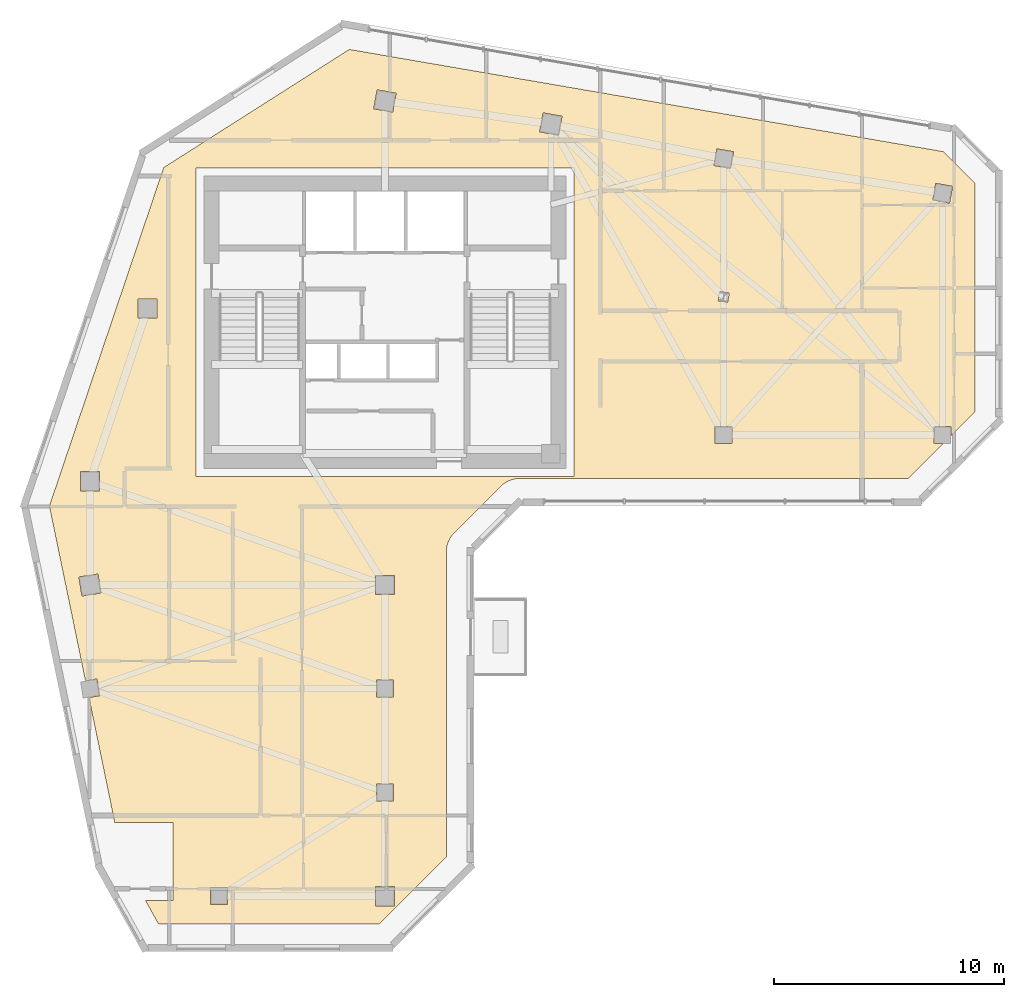
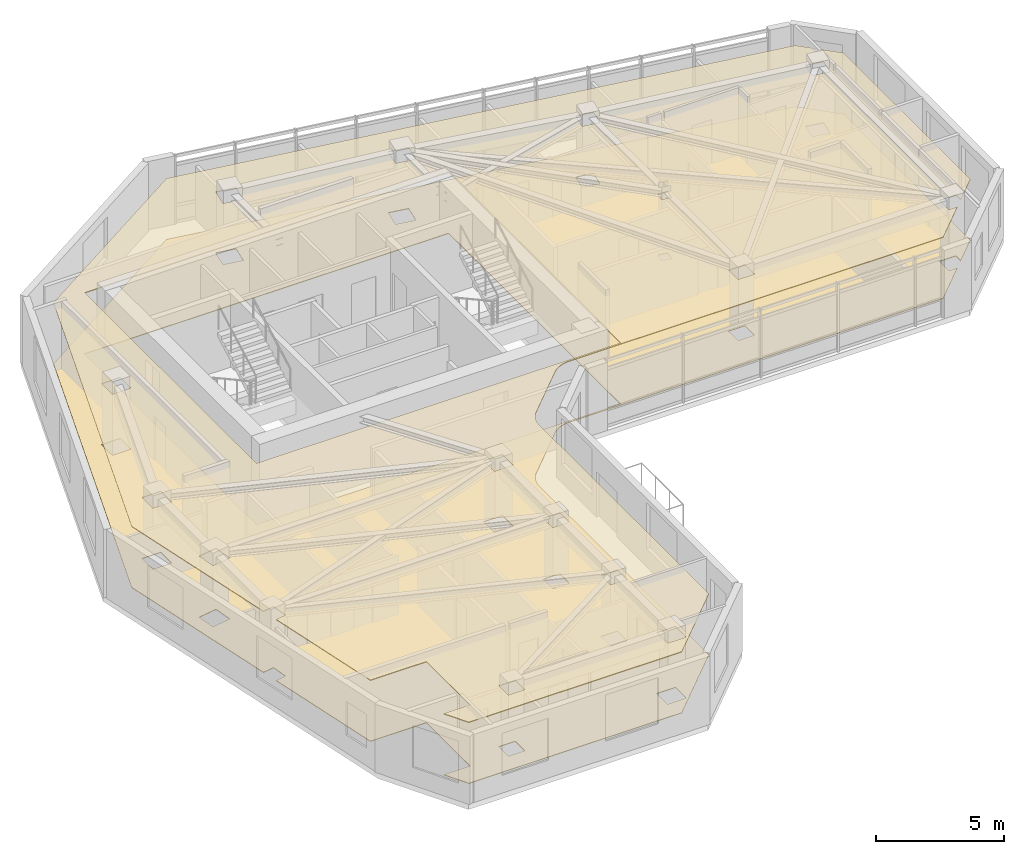
# One storey, part 9 of 10: 2 coverings.
"""IFC4 building model written with IfcOpenShell, lengths in metres."""

from ifc_helpers import new_model, si_unit, direction, frame, origin, place, context, subcontext, project, spatial, polyline, outline, extrude, material, layer, layer_set, type_object, element, save


model = new_model("IFC4")

# Units and contexts
model_context = context("Model", 3, precision=1e-05, world=origin(), true_north=direction((0.0, 1.0)))
body_context = subcontext(model_context, "Body", "Model", "MODEL_VIEW")
ifc_project = project(units=[si_unit("LENGTHUNIT", "METRE"), si_unit("AREAUNIT", "SQUARE_METRE"), si_unit("VOLUMEUNIT", "CUBIC_METRE"), si_unit("PLANEANGLEUNIT", "RADIAN"), si_unit("MASSUNIT", "GRAM", prefix="KILO")], contexts=[model_context])

# Site, building, storey
site_placement = place(None, origin())
site = spatial("IfcSite", under=ifc_project, at=site_placement, CompositionType="ELEMENT")
building_placement = place(site_placement, origin())
building = spatial("IfcBuilding", under=site, at=building_placement, Name="Calvemar Wedge Station Tower", CompositionType="ELEMENT")
storey_placement = place(building_placement, frame((0.0, 0.0, 200.89990234375)))
storey = spatial("IfcBuildingStorey", under=building, at=storey_placement, Name="L50", CompositionType="ELEMENT", Elevation=200.89990234375)

# Coverings
ifc_material_1 = material(Name="Moisture-resistant gypsum ceiling")
ifc_layer_1 = layer(ifc_material_1, 0.0400390625)
ifc_layer_set_1 = layer_set([ifc_layer_1], Name="Moisture-resistant gypsum ceiling")
covering_type_1 = type_object("IfcCoveringType", Name="COV-CEIL-GYPSUM", PredefinedType="CEILING", material=ifc_layer_set_1)
covering_1_placement = place(storey_placement, frame((0.0, 0.0, 2.900146484375)))
element("IfcCovering", 1, at=covering_1_placement, inside=storey, type_object=covering_type_1, Name="Storey L50 Acoustic Suspended Ceiling", PredefinedType="CEILING", context=body_context, shape_type="SweptSolid", body=[
    extrude(outline(polyline([(26.8154296875, 30.7724609375), (28.8154296875, 32.7724609375), (28.902587890625, 32.8515625), (28.997314453125, 32.921875), (29.098388671875, 32.982421875), (29.204833984375, 33.03271484375), (29.315673828125, 33.072265625), (29.429931640625, 33.100830078125), (29.54638671875, 33.1181640625), (29.6640625, 33.1240234375), (46.5029296875, 33.1240234375), (48.0087890625, 34.6298828125), (47.6298828125, 34.6298828125), (47.6298828125, 35.3701171875), (48.3701171875, 35.3701171875), (48.3701171875, 34.9912109375), (49.39990234375, 36.02099609375), (49.39990234375, 45.927001953125), (48.02099609375, 47.305908203125), (22.25341796875, 51.73876953125), (14.201416015625, 46.614990234375), (9.240966796875, 31.92431640625), (10.806884765625, 24.34375), (11.306884765625, 24.423828125), (11.423828125, 23.693115234375), (10.956787109375, 23.618408203125), (12.076171875, 18.199951171875), (14.60009765625, 18.199951171875), (14.60009765625, 14.800048828125), (13.41455078125, 14.800048828125), (13.97021484375, 13.800048828125), (23.56689453125, 13.800048828125), (26.464111328125, 16.697021484375), (26.464111328125, 29.924072265625), (26.4697265625, 30.04150390625), (26.487060546875, 30.158203125), (26.515625, 30.272216796875), (26.555419921875, 30.38330078125), (26.605712890625, 30.48974609375), (26.666259765625, 30.5908203125), (26.736328125, 30.685302734375), (26.8154296875, 30.7724609375)]), holes=[polyline([(15.60009765625, 46.60009765625), (32.0, 46.60009765625), (32.0, 33.199951171875), (15.60009765625, 33.199951171875), (15.60009765625, 46.60009765625)]), polyline([(10.580078125, 32.580078125), (10.580078125, 33.419921875), (11.419921875, 33.419921875), (11.419921875, 32.580078125), (10.580078125, 32.580078125)]), polyline([(13.080078125, 40.919921875), (13.919921875, 40.919921875), (13.919921875, 40.080078125), (13.080078125, 40.080078125), (13.080078125, 40.919921875)]), polyline([(24.28759765625, 49.839111328125), (24.138916015625, 49.01220703125), (23.312255859375, 49.160888671875), (23.4609375, 49.98779296875), (24.28759765625, 49.839111328125)]), polyline([(31.339111328125, 48.01220703125), (30.51220703125, 48.160888671875), (30.660888671875, 48.98779296875), (31.48779296875, 48.839111328125), (31.339111328125, 48.01220703125)]), polyline([(38.0703125, 46.701416015625), (38.201416015625, 47.4296875), (38.9296875, 47.298583984375), (38.798583984375, 46.5703125), (38.0703125, 46.701416015625)]), polyline([(47.701416015625, 45.9296875), (48.4296875, 45.798583984375), (48.298583984375, 45.0703125), (47.5703125, 45.201416015625), (47.701416015625, 45.9296875)]), polyline([(38.8701171875, 35.3701171875), (38.8701171875, 34.6298828125), (38.1298828125, 34.6298828125), (38.1298828125, 35.3701171875), (38.8701171875, 35.3701171875)]), polyline([(38.259765625, 40.833984375), (38.332763671875, 41.239501953125), (38.740234375, 41.166015625), (38.667236328125, 40.760498046875), (38.259765625, 40.833984375)]), polyline([(11.348388671875, 28.981201171875), (11.481201171875, 28.151611328125), (10.651611328125, 28.018798828125), (10.518798828125, 28.848388671875), (11.348388671875, 28.981201171875)]), polyline([(24.219970703125, 28.080078125), (23.3798828125, 28.080078125), (23.3798828125, 28.919921875), (24.219970703125, 28.919921875), (24.219970703125, 28.080078125)]), polyline([(23.429931640625, 23.6298828125), (23.429931640625, 24.3701171875), (24.169921875, 24.3701171875), (24.169921875, 23.6298828125), (23.429931640625, 23.6298828125)]), polyline([(23.429931640625, 19.8701171875), (24.169921875, 19.8701171875), (24.169921875, 19.1298828125), (23.429931640625, 19.1298828125), (23.429931640625, 19.8701171875)]), polyline([(24.219970703125, 15.419921875), (24.219970703125, 14.580078125), (23.3798828125, 14.580078125), (23.3798828125, 15.419921875), (24.219970703125, 15.419921875)]), polyline([(16.969970703125, 14.6298828125), (16.22998046875, 14.6298828125), (16.22998046875, 15.3701171875), (16.969970703125, 15.3701171875), (16.969970703125, 14.6298828125)])]), origin(), (0.0, 0.0, 1.0), 0.0400390625),
])
ifc_material_2 = material(Name="Honed coastal granite stone tile", Category="masonry")
ifc_layer_2 = layer(ifc_material_2, 0.030029296875)
ifc_layer_set_2 = layer_set([ifc_layer_2], Name="Honed coastal granite stone tile")
covering_type_2 = type_object("IfcCoveringType", Name="COV-FLR-STONE", PredefinedType="FLOORING", material=ifc_layer_set_2)
covering_2_placement = place(storey_placement, origin())
element("IfcCovering", 2, at=covering_2_placement, inside=storey, type_object=covering_type_2, Name="Storey L50 Architectural Floor Finish", PredefinedType="FLOORING", context=body_context, shape_type="SweptSolid", body=[
    extrude(outline(polyline([(26.8154296875, 30.7724609375), (28.8154296875, 32.7724609375), (28.902587890625, 32.8515625), (28.997314453125, 32.921875), (29.098388671875, 32.982421875), (29.204833984375, 33.03271484375), (29.315673828125, 33.072265625), (29.429931640625, 33.100830078125), (29.54638671875, 33.1181640625), (29.6640625, 33.1240234375), (46.5029296875, 33.1240234375), (48.0087890625, 34.6298828125), (47.6298828125, 34.6298828125), (47.6298828125, 35.3701171875), (48.3701171875, 35.3701171875), (48.3701171875, 34.9912109375), (49.39990234375, 36.02099609375), (49.39990234375, 45.927001953125), (48.02099609375, 47.305908203125), (22.25341796875, 51.73876953125), (14.201416015625, 46.614990234375), (9.240966796875, 31.92431640625), (10.806884765625, 24.34375), (11.306884765625, 24.423828125), (11.423828125, 23.693115234375), (10.956787109375, 23.618408203125), (12.076171875, 18.199951171875), (14.60009765625, 18.199951171875), (14.60009765625, 14.800048828125), (13.41455078125, 14.800048828125), (13.97021484375, 13.800048828125), (23.56689453125, 13.800048828125), (26.464111328125, 16.697021484375), (26.464111328125, 29.924072265625), (26.4697265625, 30.04150390625), (26.487060546875, 30.158203125), (26.515625, 30.272216796875), (26.555419921875, 30.38330078125), (26.605712890625, 30.48974609375), (26.666259765625, 30.5908203125), (26.736328125, 30.685302734375), (26.8154296875, 30.7724609375)]), holes=[polyline([(15.60009765625, 46.60009765625), (32.0, 46.60009765625), (32.0, 33.199951171875), (15.60009765625, 33.199951171875), (15.60009765625, 46.60009765625)]), polyline([(10.580078125, 32.580078125), (10.580078125, 33.419921875), (11.419921875, 33.419921875), (11.419921875, 32.580078125), (10.580078125, 32.580078125)]), polyline([(13.080078125, 40.919921875), (13.919921875, 40.919921875), (13.919921875, 40.080078125), (13.080078125, 40.080078125), (13.080078125, 40.919921875)]), polyline([(24.28759765625, 49.839111328125), (24.138916015625, 49.01220703125), (23.312255859375, 49.160888671875), (23.4609375, 49.98779296875), (24.28759765625, 49.839111328125)]), polyline([(31.339111328125, 48.01220703125), (30.51220703125, 48.160888671875), (30.660888671875, 48.98779296875), (31.48779296875, 48.839111328125), (31.339111328125, 48.01220703125)]), polyline([(38.0703125, 46.701416015625), (38.201416015625, 47.4296875), (38.9296875, 47.298583984375), (38.798583984375, 46.5703125), (38.0703125, 46.701416015625)]), polyline([(47.701416015625, 45.9296875), (48.4296875, 45.798583984375), (48.298583984375, 45.0703125), (47.5703125, 45.201416015625), (47.701416015625, 45.9296875)]), polyline([(38.8701171875, 35.3701171875), (38.8701171875, 34.6298828125), (38.1298828125, 34.6298828125), (38.1298828125, 35.3701171875), (38.8701171875, 35.3701171875)]), polyline([(38.259765625, 40.833984375), (38.332763671875, 41.239501953125), (38.740234375, 41.166015625), (38.667236328125, 40.760498046875), (38.259765625, 40.833984375)]), polyline([(11.348388671875, 28.981201171875), (11.481201171875, 28.151611328125), (10.651611328125, 28.018798828125), (10.518798828125, 28.848388671875), (11.348388671875, 28.981201171875)]), polyline([(24.219970703125, 28.080078125), (23.3798828125, 28.080078125), (23.3798828125, 28.919921875), (24.219970703125, 28.919921875), (24.219970703125, 28.080078125)]), polyline([(23.429931640625, 23.6298828125), (23.429931640625, 24.3701171875), (24.169921875, 24.3701171875), (24.169921875, 23.6298828125), (23.429931640625, 23.6298828125)]), polyline([(23.429931640625, 19.8701171875), (24.169921875, 19.8701171875), (24.169921875, 19.1298828125), (23.429931640625, 19.1298828125), (23.429931640625, 19.8701171875)]), polyline([(24.219970703125, 15.419921875), (24.219970703125, 14.580078125), (23.3798828125, 14.580078125), (23.3798828125, 15.419921875), (24.219970703125, 15.419921875)]), polyline([(16.969970703125, 14.6298828125), (16.22998046875, 14.6298828125), (16.22998046875, 15.3701171875), (16.969970703125, 15.3701171875), (16.969970703125, 14.6298828125)])]), origin(), (0.0, 0.0, 1.0), 0.030029296875),
])

save(model, "model.ifc")
